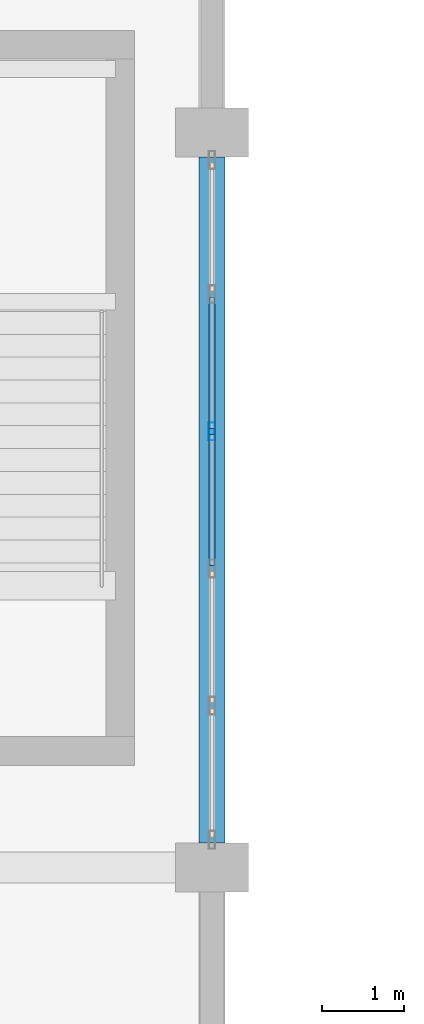
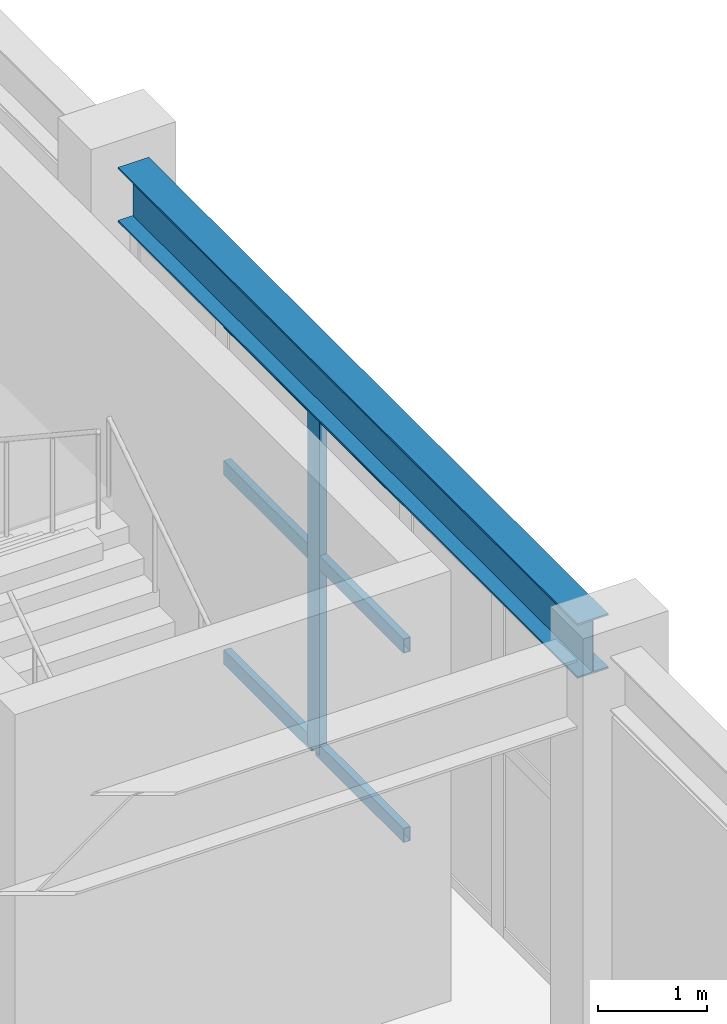
# One storey, part 23 of 85: 7 members, 1 beam, 1 element without a shape of its own.
"""IFC4 building model written with IfcOpenShell, lengths in metres."""

from ifc_helpers import new_model, si_unit, direction, frame, origin, origin_2d, place, context, subcontext, project, spatial, hollow_rectangle, i_section, extrude, material, layer, layer_set, material_profile, profile_set, type_object, element, aggregate, save


model = new_model("IFC4")

# Units and contexts
model_context = context("Model", 3, precision=1e-05, world=origin(), true_north=direction((0.0, 1.0)))
body_context = subcontext(model_context, "Body", "Model", "MODEL_VIEW")
ifc_project = project(units=[si_unit("LENGTHUNIT", "METRE"), si_unit("AREAUNIT", "SQUARE_METRE"), si_unit("VOLUMEUNIT", "CUBIC_METRE"), si_unit("PLANEANGLEUNIT", "RADIAN"), si_unit("MASSUNIT", "GRAM", prefix="KILO")], contexts=[model_context])

# Site, building, storey
site_placement = place(None, origin())
site = spatial("IfcSite", under=ifc_project, at=site_placement, CompositionType="ELEMENT")
building_placement = place(site_placement, origin())
building = spatial("IfcBuilding", under=site, at=building_placement, Name="Vaelkrest Opera House", CompositionType="ELEMENT")
storey_placement = place(building_placement, frame((0.0, 0.0, 10.199951171875)))
storey = spatial("IfcBuildingStorey", under=building, at=storey_placement, Name="L02", CompositionType="ELEMENT", Elevation=10.199951171875)

# Curtain wall, members
ifc_material_1 = material(Name="Dark bronze anodized aluminium", Category="aluminium")
ifc_layer = layer(ifc_material_1, 0.199951171875)
ifc_layer_set = layer_set([ifc_layer], Name="Dark bronze anodized aluminium")
curtain_wall_type = type_object("IfcCurtainWallType", Name="CW03", PredefinedType="NOTDEFINED", material=ifc_layer_set)
curtain_wall_placement = place(storey_placement, origin())
curtain_wall = element("IfcCurtainWall", 1, at=curtain_wall_placement, inside=storey, type_object=curtain_wall_type, Name="Curtain wall CW-L02-041", PredefinedType="NOTDEFINED")
ifc_material_profile_1 = material_profile(ifc_material_1, hollow_rectangle(XDim=0.074951171875, YDim=0.219970703125, WallThickness=0.00439453125, at=origin_2d()), Name="CWM75X220")
ifc_profile_set_1 = profile_set([ifc_material_profile_1], Name="Dark bronze anodized aluminium")
member_type_1 = type_object("IfcMemberType", Name="CWM03", PredefinedType="MULLION", material=ifc_profile_set_1)
member_1_placement = place(storey_placement, frame((30.0, -41.459716796875, 0.0), z_axis=(0.0, 0.0, 1.0), x_axis=(1.0, 0.0, 0.0)))
member_1 = element("IfcMember", 2, at=member_1_placement, type_object=member_type_1, Name="CW03 mullion 3", PredefinedType="MULLION", context=body_context, shape_type="SweptSolid", body=[
    extrude(hollow_rectangle(XDim=0.074951171875, YDim=0.219970703125, WallThickness=0.00439453125, at=origin_2d()), origin(), (0.0, 0.0, 1.0), 3.8291015625),
])
ifc_material_profile_2 = material_profile(ifc_material_1, hollow_rectangle(XDim=0.074951171875, YDim=0.159912109375, WallThickness=0.00439453125, at=origin_2d()), Name="CWT75X160")
ifc_profile_set_2 = profile_set([ifc_material_profile_2], Name="Dark bronze anodized aluminium")
member_type_2 = type_object("IfcMemberType", Name="CWT03", PredefinedType="USERDEFINED", material=ifc_profile_set_2)
member_2_placement = place(storey_placement, frame((30.0, -39.81640625, 0.03759765625), z_axis=(0.0, -1.0, 0.0), x_axis=(1.0, 0.0, 0.0)))
member_2 = element("IfcMember", 3, at=member_2_placement, type_object=member_type_2, Name="CW03 transom 2.1", ObjectType="TRANSOM", PredefinedType="USERDEFINED", context=body_context, shape_type="SweptSolid", body=[
    extrude(hollow_rectangle(XDim=0.074951171875, YDim=0.159912109375, WallThickness=0.00439453125, at=origin_2d()), origin(), (0.0, 0.0, 1.0), 1.605712890625),
])
member_3_placement = place(storey_placement, frame((30.0, -39.81640625, 2.150146484375), z_axis=(0.0, -1.0, 0.0), x_axis=(1.0, 0.0, 0.0)))
member_3 = element("IfcMember", 4, at=member_3_placement, type_object=member_type_2, Name="CW03 transom 2.2", ObjectType="TRANSOM", PredefinedType="USERDEFINED", context=body_context, shape_type="SweptSolid", body=[
    extrude(hollow_rectangle(XDim=0.074951171875, YDim=0.159912109375, WallThickness=0.00439453125, at=origin_2d()), origin(), (0.0, 0.0, 1.0), 1.605712890625),
])
member_4_placement = place(storey_placement, frame((30.0, -39.81640625, 3.79150390625), z_axis=(0.0, -1.0, 0.0), x_axis=(1.0, 0.0, 0.0)))
member_4 = element("IfcMember", 5, at=member_4_placement, type_object=member_type_2, Name="CW03 transom 2.3", ObjectType="TRANSOM", PredefinedType="USERDEFINED", context=body_context, shape_type="SweptSolid", body=[
    extrude(hollow_rectangle(XDim=0.074951171875, YDim=0.159912109375, WallThickness=0.00439453125, at=origin_2d()), origin(), (0.0, 0.0, 1.0), 1.605712890625),
])
member_5_placement = place(storey_placement, frame((30.0, -41.4970703125, 0.03759765625), z_axis=(0.0, -1.0, 0.0), x_axis=(1.0, 0.0, 0.0)))
member_5 = element("IfcMember", 6, at=member_5_placement, type_object=member_type_2, Name="CW03 transom 3.1", ObjectType="TRANSOM", PredefinedType="USERDEFINED", context=body_context, shape_type="SweptSolid", body=[
    extrude(hollow_rectangle(XDim=0.074951171875, YDim=0.159912109375, WallThickness=0.00439453125, at=origin_2d()), origin(), (0.0, 0.0, 1.0), 1.605712890625),
])
member_6_placement = place(storey_placement, frame((30.0, -41.4970703125, 2.150146484375), z_axis=(0.0, -1.0, 0.0), x_axis=(1.0, 0.0, 0.0)))
member_6 = element("IfcMember", 7, at=member_6_placement, type_object=member_type_2, Name="CW03 transom 3.2", ObjectType="TRANSOM", PredefinedType="USERDEFINED", context=body_context, shape_type="SweptSolid", body=[
    extrude(hollow_rectangle(XDim=0.074951171875, YDim=0.159912109375, WallThickness=0.00439453125, at=origin_2d()), origin(), (0.0, 0.0, 1.0), 1.605712890625),
])
member_7_placement = place(storey_placement, frame((30.0, -41.4970703125, 3.79150390625), z_axis=(0.0, -1.0, 0.0), x_axis=(1.0, 0.0, 0.0)))
member_7 = element("IfcMember", 8, at=member_7_placement, type_object=member_type_2, Name="CW03 transom 3.3", ObjectType="TRANSOM", PredefinedType="USERDEFINED", context=body_context, shape_type="SweptSolid", body=[
    extrude(hollow_rectangle(XDim=0.074951171875, YDim=0.159912109375, WallThickness=0.00439453125, at=origin_2d()), origin(), (0.0, 0.0, 1.0), 1.605712890625),
])
aggregate(curtain_wall, [member_1, member_2, member_3, member_4, member_5, member_6, member_7])

# Beam
ifc_material_2 = material(Name="Steel A992 Gr50", Category="steel")
ifc_material_profile_3 = material_profile(ifc_material_2, i_section(OverallWidth=0.323974609375, OverallDepth=0.611083984375, WebThickness=0.0126953125, FlangeThickness=0.01904296875, at=origin_2d()), Name="W24X104")
ifc_profile_set_3 = profile_set([ifc_material_profile_3], Name="Steel A992 Gr50")
beam_type = type_object("IfcBeamType", Name="SP01", PredefinedType="SPANDREL", material=ifc_profile_set_3)
beam_placement = place(storey_placement, frame((30.0, -46.5, 4.199462890625), z_axis=(0.0, 1.0, 0.0), x_axis=(-1.0, 0.0, 0.0)))
element("IfcBeam", 9, at=beam_placement, inside=storey, type_object=beam_type, Name="Beam BM-V1-L02-0400", PredefinedType="SPANDREL", context=body_context, shape_type="SweptSolid", body=[
    extrude(i_section(OverallWidth=0.323974609375, OverallDepth=0.611083984375, WebThickness=0.0126953125, FlangeThickness=0.01904296875, at=origin_2d()), origin(), (0.0, 0.0, 1.0), 8.39990234375),
])

save(model, "model.ifc")
